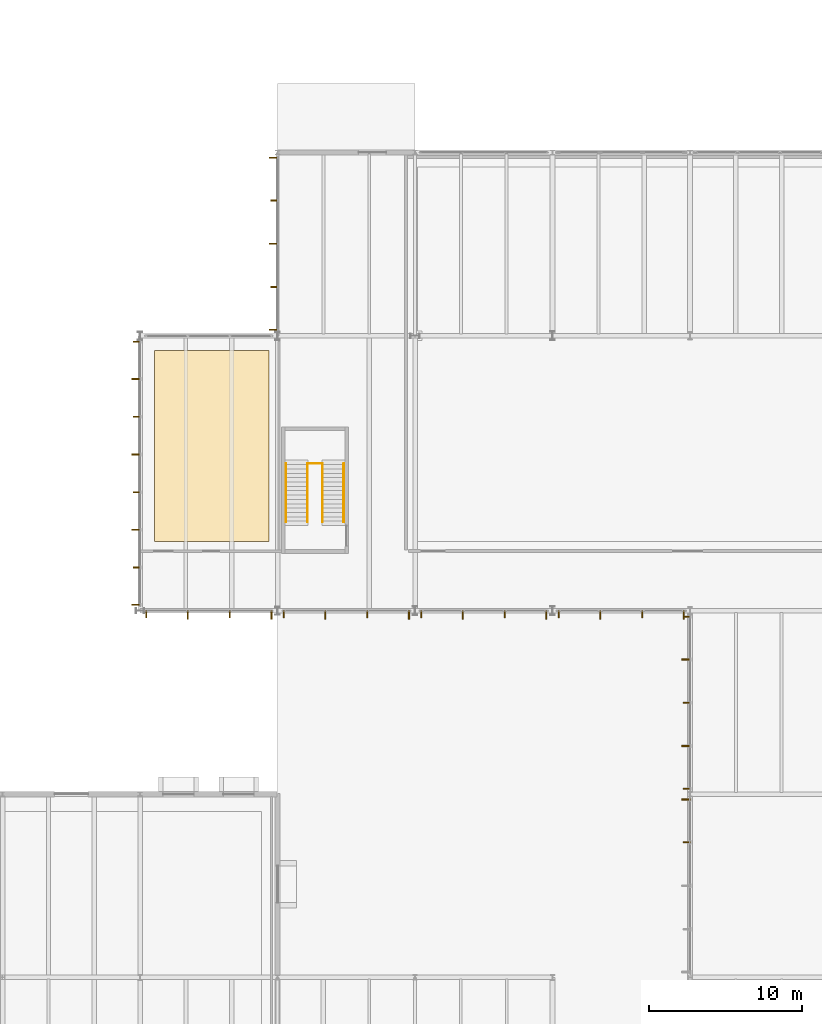
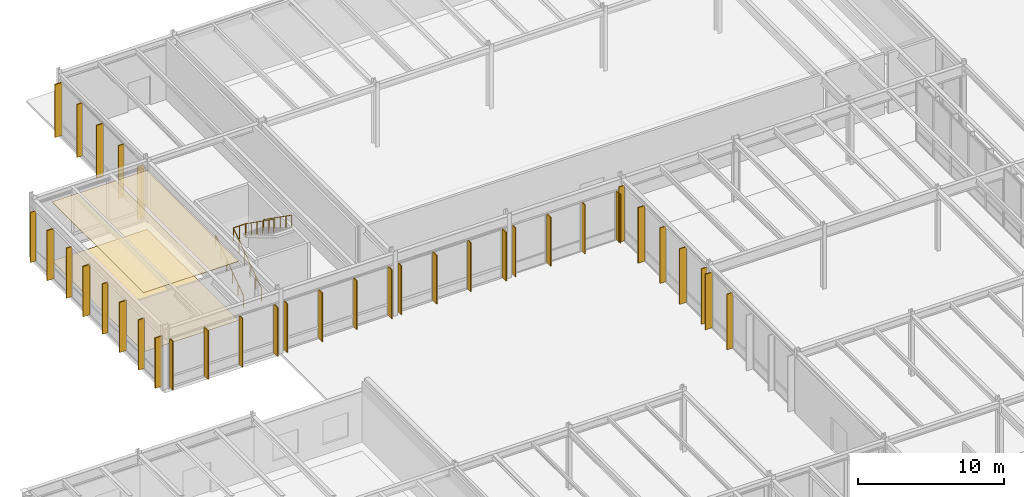
# One storey, part 138 of 143: 36 shading devices, 5 railings, 2 coverings.
"""IFC4 building model written with IfcOpenShell, lengths in metres."""

from ifc_helpers import new_model, si_unit, direction, frame, origin, origin_2d, place, context, subcontext, project, spatial, polyline, rectangle, circle, outline, extrude, material, layer, layer_set, type_object, element, save


model = new_model("IFC4")

# Units and contexts
model_context = context("Model", 3, precision=1e-05, world=origin(), true_north=direction((0.0, 1.0)))
body_context = subcontext(model_context, "Body", "Model", "MODEL_VIEW")
ifc_project = project(units=[si_unit("LENGTHUNIT", "METRE"), si_unit("AREAUNIT", "SQUARE_METRE"), si_unit("VOLUMEUNIT", "CUBIC_METRE"), si_unit("PLANEANGLEUNIT", "RADIAN"), si_unit("MASSUNIT", "GRAM", prefix="KILO")], contexts=[model_context])

# Site, building, storey
site_placement = place(None, origin())
site = spatial("IfcSite", under=ifc_project, at=site_placement, CompositionType="ELEMENT")
building_placement = place(site_placement, origin())
building = spatial("IfcBuilding", under=site, at=building_placement, Name="Montelvaro Courts of Justice", CompositionType="ELEMENT")
storey_placement = place(building_placement, origin())
storey = spatial("IfcBuildingStorey", under=building, at=storey_placement, Name="L00", CompositionType="ELEMENT", Elevation=0.0)

# Covering
ifc_material_1 = material(Name="Perforated acoustic gypsum ceiling")
ifc_layer_1 = layer(ifc_material_1, 0.0400390625)
ifc_layer_set_1 = layer_set([ifc_layer_1], Name="Perforated acoustic gypsum ceiling")
covering_type_1 = type_object("IfcCoveringType", Name="AcousticCeiling_Court", PredefinedType="CEILING", material=ifc_layer_set_1)
covering_1_placement = place(storey_placement, frame((0.0, 0.0, 4.919921875)))
element("IfcCovering", 1, at=covering_1_placement, inside=storey, type_object=covering_type_1, Name="Acoustic Ceiling Panel AC-01 (L00-22)", PredefinedType="CEILING", context=body_context, shape_type="SweptSolid", body=[
    extrude(outline(polyline([(26.449951171875, 95.050048828125), (26.449951171875, 82.550048828125), (18.949951171875, 82.550048828125), (18.949951171875, 95.050048828125), (26.449951171875, 95.050048828125)])), origin(), (0.0, 0.0, 1.0), 0.0400390625),
])

# Railings
ifc_material_2 = material(Name="Steel S355", Category="steel")
railing_type_1 = type_object("IfcRailingType", Name="InteriorGuard_1100", PredefinedType="BALUSTRADE", material=ifc_material_2)
railing_1_placement = place(storey_placement, frame((28.9599609375, 83.800048828125, 0.0)))
element("IfcRailing", 2, at=railing_1_placement, inside=storey, type_object=railing_type_1, Name="Stair Well Guard GR-02 ST-P1-L00-F1G", PredefinedType="BALUSTRADE", context=body_context, shape_type="SweptSolid", body=[
    extrude(circle(Radius=0.02392578125, at=origin_2d()), frame((0.0, 0.0, 1.076171875), z_axis=(0.0, 0.81767845864, 0.575675202069), x_axis=(-1.0, 0.0, 0.0)), (0.0, 0.0, 1.0), 4.68994140625),
    extrude(circle(Radius=0.02099609375, at=origin_2d()), origin(), (0.0, 0.0, 1.0), 1.052001953125),
    extrude(circle(Radius=0.02099609375, at=origin_2d()), frame((0.0, 0.76708984375, 0.5400390625)), (0.0, 0.0, 1.0), 1.052001953125),
    extrude(circle(Radius=0.02099609375, at=origin_2d()), frame((0.0, 1.533935546875, 1.080078125)), (0.0, 0.0, 1.0), 1.052001953125),
    extrude(circle(Radius=0.02099609375, at=origin_2d()), frame((0.0, 2.301025390625, 1.619873046875)), (0.0, 0.0, 1.0), 1.052001953125),
    extrude(circle(Radius=0.02099609375, at=origin_2d()), frame((0.0, 3.06787109375, 2.159912109375)), (0.0, 0.0, 1.0), 1.052001953125),
    extrude(circle(Radius=0.02099609375, at=origin_2d()), frame((0.0, 3.8349609375, 2.699951171875)), (0.0, 0.0, 1.0), 1.052001953125),
])
railing_2_placement = place(storey_placement, frame((29.93994140625, 87.635009765625, 2.699951171875)))
element("IfcRailing", 3, at=railing_2_placement, inside=storey, type_object=railing_type_1, Name="Stair Well Guard GR-02 ST-P1-L00-F2G", PredefinedType="BALUSTRADE", context=body_context, shape_type="SweptSolid", body=[
    extrude(circle(Radius=0.02392578125, at=origin_2d()), frame((0.0, 0.0, 1.076171875), z_axis=(0.0, -0.81767845864, 0.575675202069), x_axis=(1.0, 0.0, 0.0)), (0.0, 0.0, 1.0), 4.68994140625),
    extrude(circle(Radius=0.02099609375, at=origin_2d()), origin(), (0.0, 0.0, 1.0), 1.052001953125),
    extrude(circle(Radius=0.02099609375, at=origin_2d()), frame((0.0, -0.76708984375, 0.5400390625)), (0.0, 0.0, 1.0), 1.052001953125),
    extrude(circle(Radius=0.02099609375, at=origin_2d()), frame((0.0, -1.533935546875, 1.080078125)), (0.0, 0.0, 1.0), 1.052001953125),
    extrude(circle(Radius=0.02099609375, at=origin_2d()), frame((0.0, -2.301025390625, 1.619873046875)), (0.0, 0.0, 1.0), 1.052001953125),
    extrude(circle(Radius=0.02099609375, at=origin_2d()), frame((0.0, -3.06787109375, 2.159912109375)), (0.0, 0.0, 1.0), 1.052001953125),
    extrude(circle(Radius=0.02099609375, at=origin_2d()), frame((0.0, -3.8349609375, 2.699951171875)), (0.0, 0.0, 1.0), 1.052001953125),
])
railing_3_placement = place(storey_placement, frame((28.9599609375, 87.635009765625, 2.699951171875)))
element("IfcRailing", 4, at=railing_3_placement, inside=storey, type_object=railing_type_1, Name="Stair Well Guard GR-02 ST-P1-L00-MLG", PredefinedType="BALUSTRADE", context=body_context, shape_type="SweptSolid", body=[
    extrude(circle(Radius=0.02392578125, at=origin_2d()), frame((0.0, 0.0, 1.076171875), z_axis=(1.0, 0.0, 0.0), x_axis=(0.0, 1.0, 0.0)), (0.0, 0.0, 1.0), 0.97998046875),
    extrude(circle(Radius=0.02099609375, at=origin_2d()), origin(), (0.0, 0.0, 1.0), 1.052001953125),
    extrude(circle(Radius=0.02099609375, at=origin_2d()), frame((0.489990234375, 0.0, 0.0)), (0.0, 0.0, 1.0), 1.052001953125),
    extrude(circle(Radius=0.02099609375, at=origin_2d()), frame((0.97998046875, 0.0, 0.0)), (0.0, 0.0, 1.0), 1.052001953125),
])

# Covering
ifc_material_3 = material(Name="Alicante limestone judicial flooring", Category="masonry")
ifc_layer_2 = layer(ifc_material_3, 0.030029296875)
ifc_layer_set_2 = layer_set([ifc_layer_2], Name="Alicante limestone judicial flooring")
covering_type_2 = type_object("IfcCoveringType", Name="JudicialStoneFlooring", PredefinedType="FLOORING", material=ifc_layer_set_2)
covering_2_placement = place(storey_placement, origin())
element("IfcCovering", 5, at=covering_2_placement, inside=storey, type_object=covering_type_2, Name="Judicial Stone Flooring FLR-01 (L00-22)", PredefinedType="FLOORING", context=body_context, shape_type="SweptSolid", body=[
    extrude(outline(polyline([(26.449951171875, 95.050048828125), (26.449951171875, 82.550048828125), (18.949951171875, 82.550048828125), (18.949951171875, 95.050048828125), (26.449951171875, 95.050048828125)])), origin(), (0.0, 0.0, 1.0), 0.030029296875),
])

# Shading devices
ifc_material_4 = material(Name="Champagne anodised aluminium EN AW-6063", Category="aluminium")
ifc_layer_3 = layer(ifc_material_4, 0.080078125)
ifc_layer_set_3 = layer_set([ifc_layer_3], Name="Champagne anodised aluminium EN AW-6063")
shading_device_type_1 = type_object("IfcShadingDeviceType", Name="SolarFin_Champagne", PredefinedType="JALOUSIE", material=ifc_layer_set_3)
for number, where, z_axis, x_axis, name in (
    (6, (21.12158203125, 77.72509765625, 0.050048828125), (0.0, 0.0, 1.0), (1.0, 0.0, 0.0), "Solar Brise-Soleil Fin SH-01 CW-002"),
    (7, (26.60498046875, 77.72509765625, 0.050048828125), (0.0, 0.0, 1.0), (1.0, 0.0, 0.0), "Solar Brise-Soleil Fin SH-01 CW-004"),
    (8, (30.12158203125, 77.72509765625, 0.050048828125), (0.0, 0.0, 1.0), (1.0, 0.0, 0.0), "Solar Brise-Soleil Fin SH-01 CW-006"),
    (9, (35.6025390625, 77.72509765625, 0.050048828125), (0.0, 0.0, 1.0), (1.0, 0.0, 0.0), "Solar Brise-Soleil Fin SH-01 CW-008"),
    (10, (39.12158203125, 77.72509765625, 0.050048828125), (0.0, 0.0, 1.0), (1.0, 0.0, 0.0), "Solar Brise-Soleil Fin SH-01 CW-010"),
    (11, (44.597412109375, 77.72509765625, 0.050048828125), (0.0, 0.0, 1.0), (1.0, 0.0, 0.0), "Solar Brise-Soleil Fin SH-01 CW-012"),
    (12, (48.12158203125, 77.72509765625, 0.050048828125), (0.0, 0.0, 1.0), (1.0, 0.0, 0.0), "Solar Brise-Soleil Fin SH-01 CW-014"),
    (13, (53.597412109375, 77.72509765625, 0.050048828125), (0.0, 0.0, 1.0), (1.0, 0.0, 0.0), "Solar Brise-Soleil Fin SH-01 CW-016"),
):
    element("IfcShadingDevice", number, at=place(storey_placement, frame(where, z_axis=z_axis, x_axis=x_axis)), inside=storey, type_object=shading_device_type_1, Name=name, PredefinedType="JALOUSIE", context=body_context, shape_type="SweptSolid", body=[
        extrude(rectangle(XDim=0.080078125, YDim=0.550048828125, at=origin_2d()), origin(), (0.0, 0.0, 1.0), 4.06494140625),
    ])
for number, where, z_axis, x_axis, name in (
    (14, (26.72509765625, 107.655029296875, 0.0498046875), (0.0, 0.0, 1.0), (0.0, -1.0, 0.0), "Solar Brise-Soleil Fin SH-01 CW-030"),
    (15, (26.72509765625, 102.02490234375, 0.0498046875), (0.0, 0.0, 1.0), (0.0, -1.0, 0.0), "Solar Brise-Soleil Fin SH-01 CW-032"),
    (16, (26.72509765625, 96.39501953125, 0.0498046875), (0.0, 0.0, 1.0), (0.0, -1.0, 0.0), "Solar Brise-Soleil Fin SH-01 CW-034"),
):
    element("IfcShadingDevice", number, at=place(storey_placement, frame(where, z_axis=z_axis, x_axis=x_axis)), inside=storey, type_object=shading_device_type_1, Name=name, PredefinedType="JALOUSIE", context=body_context, shape_type="SweptSolid", body=[
        extrude(rectangle(XDim=0.080078125, YDim=0.550048828125, at=origin_2d()), origin(), (0.0, 0.0, 1.0), 4.425048828125),
    ])
for number, where, z_axis, x_axis, name in (
    (17, (17.72509765625, 93.16796875, 0.050048828125), (0.0, 0.0, 1.0), (0.0, -1.0, 0.0), "Solar Brise-Soleil Fin SH-01 CW-036"),
    (18, (17.72509765625, 88.233642578125, 0.050048828125), (0.0, 0.0, 1.0), (0.0, -1.0, 0.0), "Solar Brise-Soleil Fin SH-01 CW-038"),
    (19, (17.72509765625, 83.29931640625, 0.050048828125), (0.0, 0.0, 1.0), (0.0, -1.0, 0.0), "Solar Brise-Soleil Fin SH-01 CW-040"),
    (20, (17.72509765625, 78.3974609375, 0.050048828125), (0.0, 0.0, 1.0), (0.0, -1.0, 0.0), "Solar Brise-Soleil Fin SH-01 CW-042"),
):
    element("IfcShadingDevice", number, at=place(storey_placement, frame(where, z_axis=z_axis, x_axis=x_axis)), inside=storey, type_object=shading_device_type_1, Name=name, PredefinedType="JALOUSIE", context=body_context, shape_type="SweptSolid", body=[
        extrude(rectangle(XDim=0.080078125, YDim=0.550048828125, at=origin_2d()), origin(), (0.0, 0.0, 1.0), 4.18505859375),
    ])
for number, where, z_axis, x_axis, name in (
    (21, (53.72509765625, 74.804931640625, 0.050048828125), (0.0, 0.0, 1.0), (0.0, -1.0, 0.0), "Solar Brise-Soleil Fin SH-01 CW-062"),
    (22, (53.72509765625, 69.14501953125, 0.050048828125), (0.0, 0.0, 1.0), (0.0, -1.0, 0.0), "Solar Brise-Soleil Fin SH-01 CW-064"),
    (23, (53.72509765625, 65.6474609375, 0.050048828125), (0.0, 0.0, 1.0), (0.0, -1.0, 0.0), "Solar Brise-Soleil Fin SH-01 CW-066"),
):
    element("IfcShadingDevice", number, at=place(storey_placement, frame(where, z_axis=z_axis, x_axis=x_axis)), inside=storey, type_object=shading_device_type_1, Name=name, PredefinedType="JALOUSIE", context=body_context, shape_type="SweptSolid", body=[
        extrude(rectangle(XDim=0.080078125, YDim=0.550048828125, at=origin_2d()), origin(), (0.0, 0.0, 1.0), 4.625),
    ])
ifc_layer_4 = layer(ifc_material_4, 0.070068359375)
ifc_layer_set_4 = layer_set([ifc_layer_4], Name="Champagne anodised aluminium EN AW-6063")
shading_device_type_2 = type_object("IfcShadingDeviceType", Name="SolarLouvre_Mediterranean", PredefinedType="SHUTTER", material=ifc_layer_set_4)
for number, where, z_axis, x_axis, name in (
    (24, (18.39501953125, 77.77490234375, 0.050048828125), (0.0, 0.0, 1.0), (1.0, 0.0, 0.0), "Solar Brise-Soleil Fin SH-02 CW-001"),
    (25, (23.87841796875, 77.77490234375, 0.050048828125), (0.0, 0.0, 1.0), (1.0, 0.0, 0.0), "Solar Brise-Soleil Fin SH-02 CW-003"),
    (26, (27.3974609375, 77.77490234375, 0.050048828125), (0.0, 0.0, 1.0), (1.0, 0.0, 0.0), "Solar Brise-Soleil Fin SH-02 CW-005"),
    (27, (32.87841796875, 77.77490234375, 0.050048828125), (0.0, 0.0, 1.0), (1.0, 0.0, 0.0), "Solar Brise-Soleil Fin SH-02 CW-007"),
    (28, (36.402587890625, 77.77490234375, 0.050048828125), (0.0, 0.0, 1.0), (1.0, 0.0, 0.0), "Solar Brise-Soleil Fin SH-02 CW-009"),
    (29, (41.87841796875, 77.77490234375, 0.050048828125), (0.0, 0.0, 1.0), (1.0, 0.0, 0.0), "Solar Brise-Soleil Fin SH-02 CW-011"),
    (30, (45.402587890625, 77.77490234375, 0.050048828125), (0.0, 0.0, 1.0), (1.0, 0.0, 0.0), "Solar Brise-Soleil Fin SH-02 CW-013"),
    (31, (50.87841796875, 77.77490234375, 0.050048828125), (0.0, 0.0, 1.0), (1.0, 0.0, 0.0), "Solar Brise-Soleil Fin SH-02 CW-015"),
):
    element("IfcShadingDevice", number, at=place(storey_placement, frame(where, z_axis=z_axis, x_axis=x_axis)), inside=storey, type_object=shading_device_type_2, Name=name, PredefinedType="SHUTTER", context=body_context, shape_type="SweptSolid", body=[
        extrude(rectangle(XDim=0.070068359375, YDim=0.449951171875, at=origin_2d()), origin(), (0.0, 0.0, 1.0), 4.06494140625),
    ])
for number, where, z_axis, x_axis, name in (
    (32, (26.77490234375, 104.85498046875, 0.0498046875), (0.0, 0.0, 1.0), (0.0, -1.0, 0.0), "Solar Brise-Soleil Fin SH-02 CW-031"),
    (33, (26.77490234375, 99.195068359375, 0.0498046875), (0.0, 0.0, 1.0), (0.0, -1.0, 0.0), "Solar Brise-Soleil Fin SH-02 CW-033"),
):
    element("IfcShadingDevice", number, at=place(storey_placement, frame(where, z_axis=z_axis, x_axis=x_axis)), inside=storey, type_object=shading_device_type_2, Name=name, PredefinedType="SHUTTER", context=body_context, shape_type="SweptSolid", body=[
        extrude(rectangle(XDim=0.070068359375, YDim=0.449951171875, at=origin_2d()), origin(), (0.0, 0.0, 1.0), 4.425048828125),
    ])
for number, where, z_axis, x_axis, name in (
    (34, (17.77490234375, 95.6025390625, 0.050048828125), (0.0, 0.0, 1.0), (0.0, -1.0, 0.0), "Solar Brise-Soleil Fin SH-02 CW-035"),
    (35, (17.77490234375, 90.70068359375, 0.050048828125), (0.0, 0.0, 1.0), (0.0, -1.0, 0.0), "Solar Brise-Soleil Fin SH-02 CW-037"),
    (36, (17.77490234375, 85.766357421875, 0.050048828125), (0.0, 0.0, 1.0), (0.0, -1.0, 0.0), "Solar Brise-Soleil Fin SH-02 CW-039"),
    (37, (17.77490234375, 80.83203125, 0.050048828125), (0.0, 0.0, 1.0), (0.0, -1.0, 0.0), "Solar Brise-Soleil Fin SH-02 CW-041"),
):
    element("IfcShadingDevice", number, at=place(storey_placement, frame(where, z_axis=z_axis, x_axis=x_axis)), inside=storey, type_object=shading_device_type_2, Name=name, PredefinedType="SHUTTER", context=body_context, shape_type="SweptSolid", body=[
        extrude(rectangle(XDim=0.070068359375, YDim=0.449951171875, at=origin_2d()), origin(), (0.0, 0.0, 1.0), 4.18505859375),
    ])
for number, where, z_axis, x_axis, name in (
    (38, (53.77490234375, 77.6025390625, 0.050048828125), (0.0, 0.0, 1.0), (0.0, -1.0, 0.0), "Solar Brise-Soleil Fin SH-02 CW-061"),
    (39, (53.77490234375, 71.97509765625, 0.050048828125), (0.0, 0.0, 1.0), (0.0, -1.0, 0.0), "Solar Brise-Soleil Fin SH-02 CW-063"),
    (40, (53.77490234375, 66.347412109375, 0.050048828125), (0.0, 0.0, 1.0), (0.0, -1.0, 0.0), "Solar Brise-Soleil Fin SH-02 CW-065"),
    (41, (53.77490234375, 62.842529296875, 0.050048828125), (0.0, 0.0, 1.0), (0.0, -1.0, 0.0), "Solar Brise-Soleil Fin SH-02 CW-067"),
):
    element("IfcShadingDevice", number, at=place(storey_placement, frame(where, z_axis=z_axis, x_axis=x_axis)), inside=storey, type_object=shading_device_type_2, Name=name, PredefinedType="SHUTTER", context=body_context, shape_type="SweptSolid", body=[
        extrude(rectangle(XDim=0.070068359375, YDim=0.449951171875, at=origin_2d()), origin(), (0.0, 0.0, 1.0), 4.625),
    ])

# Railings
ifc_material_5 = material(Name="Austenitic stainless steel EN 1.4401", Category="steel")
railing_type_2 = type_object("IfcRailingType", Name="StairHandrail_950", PredefinedType="HANDRAIL", material=ifc_material_5)
railing_4_placement = place(storey_placement, frame((27.56005859375, 83.800048828125, 0.0)))
element("IfcRailing", 42, at=railing_4_placement, inside=storey, type_object=railing_type_2, Name="Stair Pitch Handrail HR-01 ST-P1-L00-F1H", PredefinedType="HANDRAIL", context=body_context, shape_type="SweptSolid", body=[
    extrude(circle(Radius=0.02392578125, at=origin_2d()), frame((0.0, 0.0, 0.92578125), z_axis=(0.0, 0.81767845864, 0.575675202069), x_axis=(-1.0, 0.0, 0.0)), (0.0, 0.0, 1.0), 4.68994140625),
    extrude(circle(Radius=0.02099609375, at=origin_2d()), origin(), (0.0, 0.0, 1.0), 0.90185546875),
    extrude(circle(Radius=0.02099609375, at=origin_2d()), frame((0.0, 0.76708984375, 0.5400390625)), (0.0, 0.0, 1.0), 0.90185546875),
    extrude(circle(Radius=0.02099609375, at=origin_2d()), frame((0.0, 1.533935546875, 1.080078125)), (0.0, 0.0, 1.0), 0.90185546875),
    extrude(circle(Radius=0.02099609375, at=origin_2d()), frame((0.0, 2.301025390625, 1.619873046875)), (0.0, 0.0, 1.0), 0.90185546875),
    extrude(circle(Radius=0.02099609375, at=origin_2d()), frame((0.0, 3.06787109375, 2.159912109375)), (0.0, 0.0, 1.0), 0.90185546875),
    extrude(circle(Radius=0.02099609375, at=origin_2d()), frame((0.0, 3.8349609375, 2.699951171875)), (0.0, 0.0, 1.0), 0.90185546875),
])
railing_5_placement = place(storey_placement, frame((31.340087890625, 87.635009765625, 2.699951171875)))
element("IfcRailing", 43, at=railing_5_placement, inside=storey, type_object=railing_type_2, Name="Stair Pitch Handrail HR-01 ST-P1-L00-F2H", PredefinedType="HANDRAIL", context=body_context, shape_type="SweptSolid", body=[
    extrude(circle(Radius=0.02392578125, at=origin_2d()), frame((0.0, 0.0, 0.92578125), z_axis=(0.0, -0.81767845864, 0.575675202069), x_axis=(1.0, 0.0, 0.0)), (0.0, 0.0, 1.0), 4.68994140625),
    extrude(circle(Radius=0.02099609375, at=origin_2d()), origin(), (0.0, 0.0, 1.0), 0.90185546875),
    extrude(circle(Radius=0.02099609375, at=origin_2d()), frame((0.0, -0.76708984375, 0.5400390625)), (0.0, 0.0, 1.0), 0.90185546875),
    extrude(circle(Radius=0.02099609375, at=origin_2d()), frame((0.0, -1.533935546875, 1.080078125)), (0.0, 0.0, 1.0), 0.90185546875),
    extrude(circle(Radius=0.02099609375, at=origin_2d()), frame((0.0, -2.301025390625, 1.619873046875)), (0.0, 0.0, 1.0), 0.90185546875),
    extrude(circle(Radius=0.02099609375, at=origin_2d()), frame((0.0, -3.06787109375, 2.159912109375)), (0.0, 0.0, 1.0), 0.90185546875),
    extrude(circle(Radius=0.02099609375, at=origin_2d()), frame((0.0, -3.8349609375, 2.699951171875)), (0.0, 0.0, 1.0), 0.90185546875),
])

save(model, "model.ifc")
